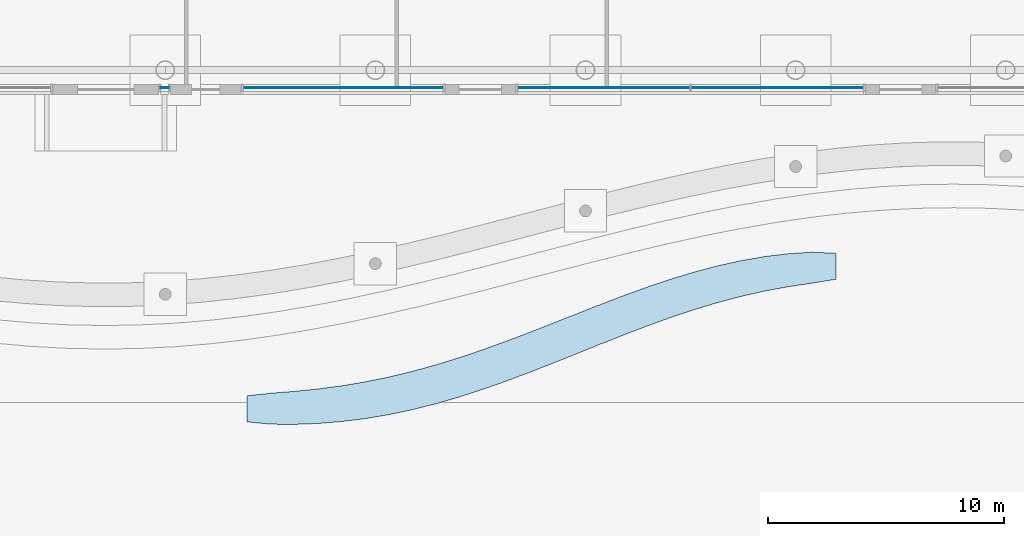
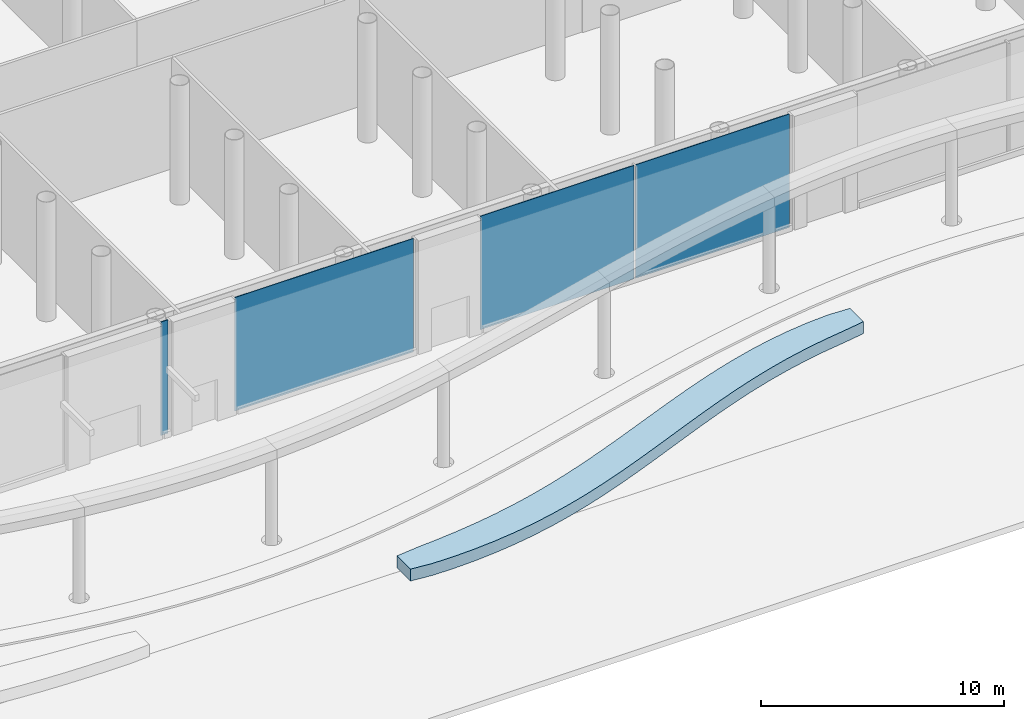
# One storey, part 19 of 75: 4 plates, 1 slab, 3 elements without a shape of their own.
"""IFC4 building model written with IfcOpenShell, lengths in metres."""

from ifc_helpers import new_model, si_unit, direction, frame, origin, origin_2d, place, context, subcontext, project, spatial, polyline, rectangle, outline, extrude, material, layer, layer_set, type_object, element, aggregate, save


model = new_model("IFC4")

# Units and contexts
model_context = context("Model", 3, precision=1e-05, world=origin(), true_north=direction((0.0, 1.0)))
body_context = subcontext(model_context, "Body", "Model", "MODEL_VIEW")
ifc_project = project(units=[si_unit("LENGTHUNIT", "METRE"), si_unit("AREAUNIT", "SQUARE_METRE"), si_unit("VOLUMEUNIT", "CUBIC_METRE"), si_unit("PLANEANGLEUNIT", "RADIAN"), si_unit("MASSUNIT", "GRAM", prefix="KILO")], contexts=[model_context])

# Site, building, storey
site_placement = place(None, origin())
site = spatial("IfcSite", under=ifc_project, at=site_placement, CompositionType="ELEMENT")
building_placement = place(site_placement, origin())
building = spatial("IfcBuilding", under=site, at=building_placement, Name="Ipe Terrace Towers", CompositionType="ELEMENT")
storey_placement = place(building_placement, origin())
storey = spatial("IfcBuildingStorey", under=building, at=storey_placement, Name="L00", CompositionType="ELEMENT", Elevation=0.0)

# Slab
ifc_material_1 = material(Name="Concrete C30/37", Category="concrete")
ifc_layer_1 = layer(ifc_material_1, 0.60009765625)
ifc_layer_set_1 = layer_set([ifc_layer_1], Name="CURVED PLANTING RIBBON 600")
slab_type = type_object("IfcSlabType", Name="CURVED PLANTING RIBBON 600", PredefinedType="USERDEFINED", material=ifc_layer_set_1)
slab_placement = place(storey_placement, origin())
element("IfcSlab", 1, at=slab_placement, inside=storey, type_object=slab_type, Name="curved planting ribbon", ObjectType="PLANTER", PredefinedType="USERDEFINED", context=body_context, shape_type="SweptSolid", body=[
    extrude(outline(polyline([(-30.0, -55.97607421875), (-29.0, -55.865966796875), (-28.0, -55.787109375), (-27.0, -55.68603515625), (-26.0, -55.552978515625), (-25.0, -55.386962890625), (-24.0, -55.18310546875), (-23.0, -54.943115234375), (-22.0, -54.66796875), (-21.0, -54.35888671875), (-20.0, -54.02197265625), (-19.0, -53.659912109375), (-18.0, -53.280029296875), (-17.0, -52.887939453125), (-16.0, -52.492919921875), (-15.0, -52.10009765625), (-14.0, -51.718994140625), (-13.0, -51.35693359375), (-12.0, -51.02001953125), (-11.0, -50.717041015625), (-10.0, -50.452880859375), (-9.0, -50.23193359375), (-8.0, -50.06005859375), (-7.0, -49.93994140625), (-6.0, -49.8779296875), (-5.0, -49.925048828125), (-5.0, -51.030029296875), (-6.0, -51.193115234375), (-7.0, -51.341064453125), (-8.0, -51.52587890625), (-9.0, -51.75), (-10.0, -52.013916015625), (-11.0, -52.31396484375), (-12.0, -52.64794921875), (-13.0, -53.008056640625), (-14.0, -53.389892578125), (-15.0, -53.784912109375), (-16.0, -54.18701171875), (-17.0, -54.587890625), (-18.0, -54.97900390625), (-19.0, -55.35498046875), (-20.0, -55.70703125), (-21.0, -56.030029296875), (-22.0, -56.320068359375), (-23.0, -56.571044921875), (-24.0, -56.781005859375), (-25.0, -56.947998046875), (-26.0, -57.071044921875), (-27.0, -57.152099609375), (-28.0, -57.18896484375), (-29.0, -57.180908203125), (-30.0, -57.0810546875), (-30.0, -55.97607421875)])), origin(), (0.0, 0.0, 1.0), 0.60009765625),
])

# Curtain wall, plate
ifc_material_2 = material(Name="Aluminium alloy 6063-T6", Category="aluminium")
ifc_layer_2 = layer(ifc_material_2, 0.43994140625)
ifc_layer_set_2 = layer_set([ifc_layer_2], Name="PODIUM GLAZING CURTAIN WALL")
curtain_wall_type = type_object("IfcCurtainWallType", Name="PODIUM GLAZING CURTAIN WALL", PredefinedType="NOTDEFINED", material=ifc_layer_set_2)
curtain_wall_1_placement = place(storey_placement, origin())
curtain_wall_1 = element("IfcCurtainWall", 2, at=curtain_wall_1_placement, inside=storey, type_object=curtain_wall_type, Name="POD-CW-L00-03g curtain wall", PredefinedType="NOTDEFINED")
ifc_material_3 = material(Name="Glass, clear laminated", Category="glass")
ifc_layer_3 = layer(ifc_material_3, 0.035888671875)
ifc_layer_set_3 = layer_set([ifc_layer_3], Name="PODIUM GLAZING GLASS PANEL 36")
plate_type = type_object("IfcPlateType", Name="PODIUM GLAZING GLASS PANEL 36", PredefinedType="CURTAIN_PANEL", material=ifc_layer_set_3)
plate_1_placement = place(storey_placement, frame((-33.5, -42.89990234375, 0.0), z_axis=(0.0, 0.0, 1.0), x_axis=(1.0, 0.0, 0.0)))
plate_1 = element("IfcPlate", 3, at=plate_1_placement, type_object=plate_type, Name="POD-CW-L00-03g panel 1", PredefinedType="CURTAIN_PANEL", context=body_context, shape_type="SweptSolid", body=[
    extrude(rectangle(XDim=0.340087890625, YDim=0.035888671875, at=origin_2d()), origin(), (0.0, 0.0, 1.0), 5.699951171875),
])
aggregate(curtain_wall_1, [plate_1])

curtain_wall_2_placement = place(storey_placement, origin())
curtain_wall_2 = element("IfcCurtainWall", 4, at=curtain_wall_2_placement, inside=storey, type_object=curtain_wall_type, Name="POD-CW-L00-03i curtain wall", PredefinedType="NOTDEFINED")
plate_2_placement = place(storey_placement, frame((-25.919921875, -42.89990234375, 0.0), z_axis=(0.0, 0.0, 1.0), x_axis=(1.0, 0.0, 0.0)))
plate_2 = element("IfcPlate", 5, at=plate_2_placement, type_object=plate_type, Name="POD-CW-L00-03i panel 1", PredefinedType="CURTAIN_PANEL", context=body_context, shape_type="SweptSolid", body=[
    extrude(rectangle(XDim=8.5, YDim=0.035888671875, at=origin_2d()), origin(), (0.0, 0.0, 1.0), 5.699951171875),
])
aggregate(curtain_wall_2, [plate_2])

# Curtain wall, plates
curtain_wall_3_placement = place(storey_placement, origin())
curtain_wall_3 = element("IfcCurtainWall", 6, at=curtain_wall_3_placement, inside=storey, type_object=curtain_wall_type, Name="POD-CW-L00-03k curtain wall", PredefinedType="NOTDEFINED")
plate_3_placement = place(storey_placement, frame((-14.860107421875, -42.89990234375, 0.0), z_axis=(0.0, 0.0, 1.0), x_axis=(1.0, 0.0, 0.0)))
plate_3 = element("IfcPlate", 7, at=plate_3_placement, type_object=plate_type, Name="POD-CW-L00-03k panel 1", PredefinedType="CURTAIN_PANEL", context=body_context, shape_type="SweptSolid", body=[
    extrude(rectangle(XDim=7.300048828125, YDim=0.035888671875, at=origin_2d()), origin(), (0.0, 0.0, 1.0), 5.699951171875),
])
plate_4_placement = place(storey_placement, frame((-7.47998046875, -42.89990234375, 0.0), z_axis=(0.0, 0.0, 1.0), x_axis=(1.0, 0.0, 0.0)))
plate_4 = element("IfcPlate", 8, at=plate_4_placement, type_object=plate_type, Name="POD-CW-L00-03k panel 2", PredefinedType="CURTAIN_PANEL", context=body_context, shape_type="SweptSolid", body=[
    extrude(rectangle(XDim=7.300048828125, YDim=0.035888671875, at=origin_2d()), origin(), (0.0, 0.0, 1.0), 5.699951171875),
])
aggregate(curtain_wall_3, [plate_3, plate_4])

save(model, "model.ifc")
